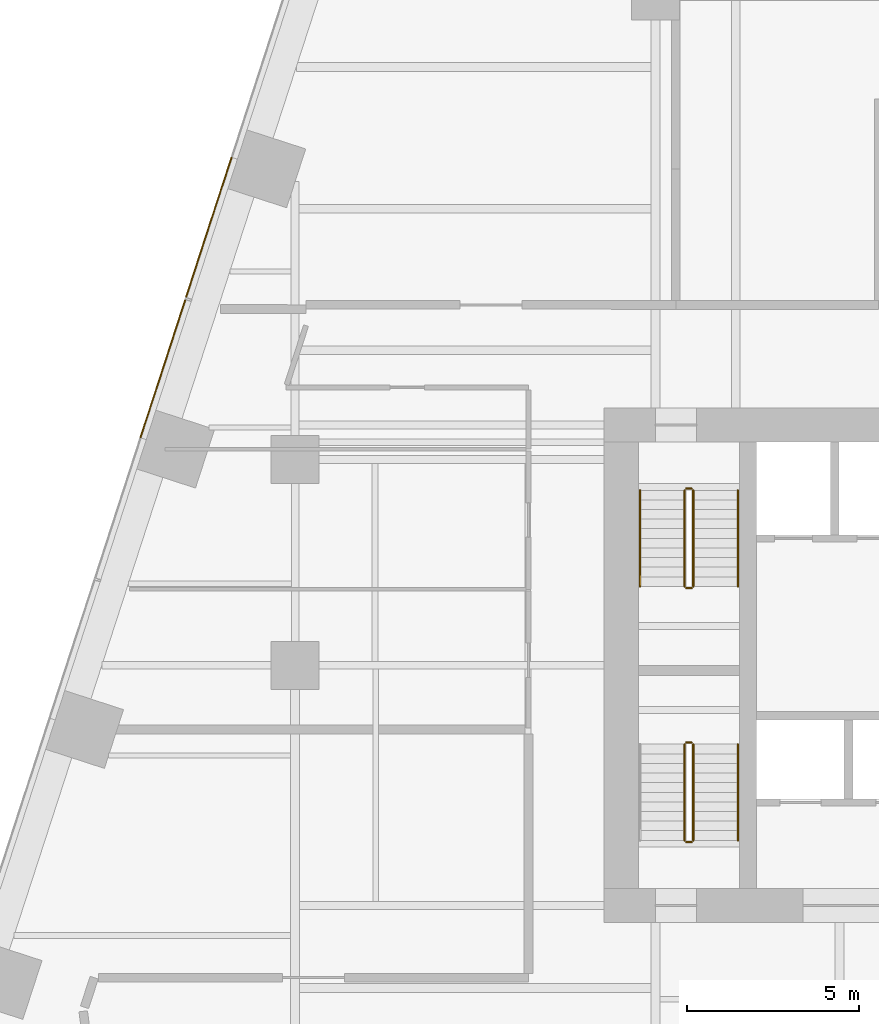
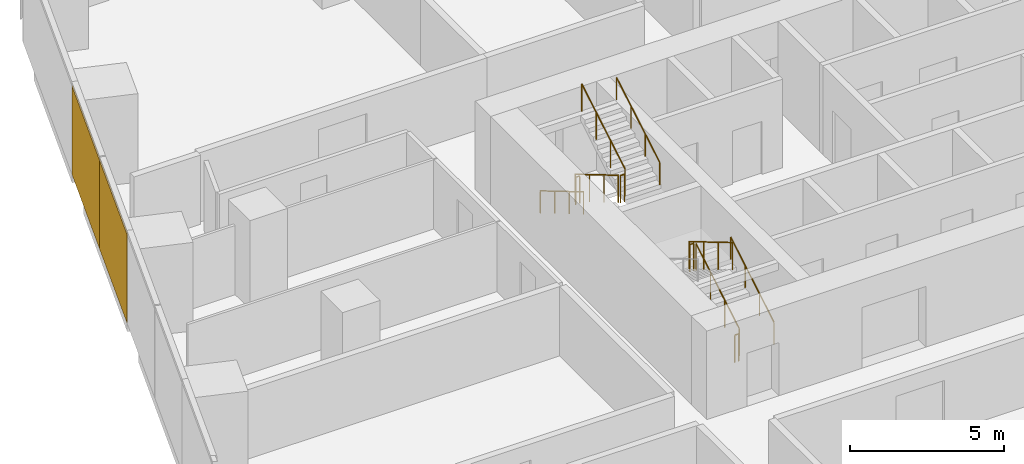
# One storey, part 19 of 20: 11 railings, 2 coverings, 1 element without a shape of its own.
"""IFC4 building model written with IfcOpenShell, lengths in metres."""

from ifc_helpers import new_model, si_unit, direction, frame, origin, origin_2d, place, context, subcontext, project, spatial, rectangle, circle, extrude, material, layer, layer_set, type_object, element, aggregate, save


model = new_model("IFC4")

# Units and contexts
model_context = context("Model", 3, precision=1e-05, world=origin(), true_north=direction((0.0, 1.0)))
body_context = subcontext(model_context, "Body", "Model", "MODEL_VIEW")
ifc_project = project(units=[si_unit("LENGTHUNIT", "METRE"), si_unit("AREAUNIT", "SQUARE_METRE"), si_unit("VOLUMEUNIT", "CUBIC_METRE"), si_unit("PLANEANGLEUNIT", "RADIAN"), si_unit("MASSUNIT", "GRAM", prefix="KILO")], contexts=[model_context])

# Site, building, storey
site_placement = place(None, origin())
site = spatial("IfcSite", under=ifc_project, at=site_placement, CompositionType="ELEMENT")
building_placement = place(site_placement, origin())
building = spatial("IfcBuilding", under=site, at=building_placement, Name="Isthmus Gate Tower", CompositionType="ELEMENT")
storey_placement = place(building_placement, frame((0.0, 0.0, 61.550048828125)))
storey = spatial("IfcBuildingStorey", under=building, at=storey_placement, Name="L13", CompositionType="ELEMENT", Elevation=61.550048828125)

# Curtain wall, coverings
ifc_material_1 = material(Name="Aluminium, pale champagne anodised", Category="aluminium")
ifc_layer_1 = layer(ifc_material_1, 0.199951171875)
ifc_layer_set_1 = layer_set([ifc_layer_1], Name="CW-1 UNITISED CURTAIN WALL 200 DEEP")
curtain_wall_type = type_object("IfcCurtainWallType", Name="CW-1 UNITISED CURTAIN WALL 200 DEEP", PredefinedType="NOTDEFINED", material=ifc_layer_set_1)
curtain_wall_placement = place(storey_placement, origin())
curtain_wall = element("IfcCurtainWall", 1, at=curtain_wall_placement, inside=storey, type_object=curtain_wall_type, Name="CW-1 NW L13", PredefinedType="NOTDEFINED")
ifc_material_2 = material(Name="Aluminium composite panel, pale champagne anodised", Category="aluminium")
ifc_layer_2 = layer(ifc_material_2, 0.0400390625)
ifc_layer_set_2 = layer_set([ifc_layer_2], Name="CW-1 PALE METAL PANEL 40")
covering_type = type_object("IfcCoveringType", Name="CW-1 PALE METAL PANEL 40", PredefinedType="CLADDING", material=ifc_layer_set_2)
covering_1_placement = place(storey_placement, frame((-26.51806640625, 20.25927734375, 0.0), z_axis=(0.0, 0.0, 1.0), x_axis=(-0.309016994375, -0.951056516295, 0.0)))
covering_1 = element("IfcCovering", 2, at=covering_1_placement, type_object=covering_type, Name="CW-1 pale metal panel", PredefinedType="CLADDING", context=body_context, shape_type="SweptSolid", body=[
    extrude(rectangle(XDim=4.294677734375, YDim=0.0400390625, at=origin_2d()), origin(), (0.0, 0.0, 1.0), 3.5),
])
covering_2_placement = place(storey_placement, frame((-27.8544921875, 16.146484375, 0.0), z_axis=(0.0, 0.0, 1.0), x_axis=(-0.309016994375, -0.951056516295, 0.0)))
covering_2 = element("IfcCovering", 3, at=covering_2_placement, type_object=covering_type, Name="CW-1 pale metal panel", PredefinedType="CLADDING", context=body_context, shape_type="SweptSolid", body=[
    extrude(rectangle(XDim=4.234619140625, YDim=0.0400390625, at=origin_2d()), origin(), (0.0, 0.0, 1.0), 3.5),
])
aggregate(curtain_wall, [covering_1, covering_2])

# Railings
ifc_material_3 = material(Name="Stainless steel balustrade", Category="steel")
railing_type_1 = type_object("IfcRailingType", Name="STAIR GUARD 1100", PredefinedType="GUARDRAIL", material=ifc_material_3)
railing_1_placement = place(storey_placement, frame((-12.64990234375, 12.60009765625, 0.165771484375)))
element("IfcRailing", 4, at=railing_1_placement, inside=storey, type_object=railing_type_1, Name="L13 ST1 stair guard 1", PredefinedType="GUARDRAIL", context=body_context, shape_type="SweptSolid", body=[
    extrude(circle(Radius=0.02392578125, at=origin_2d()), frame((0.0, 0.0, 1.076171875), z_axis=(0.0, -0.860306154799, 0.50977771628), x_axis=(1.0, 0.0, 0.0)), (0.0, 0.0, 1.0), 3.254638671875),
    extrude(circle(Radius=0.02099609375, at=origin_2d()), origin(), (0.0, 0.0, 1.0), 1.052001953125),
    extrude(circle(Radius=0.02099609375, at=origin_2d()), frame((0.0, -0.933349609375, 0.552978515625)), (0.0, 0.0, 1.0), 1.052001953125),
    extrude(circle(Radius=0.02099609375, at=origin_2d()), frame((0.0, -1.86669921875, 1.106201171875)), (0.0, 0.0, 1.0), 1.052001953125),
    extrude(circle(Radius=0.02099609375, at=origin_2d()), frame((0.0, -2.800048828125, 1.6591796875)), (0.0, 0.0, 1.0), 1.052001953125),
])
railing_2_placement = place(storey_placement, frame((-12.60009765625, 9.75, 1.824951171875)))
element("IfcRailing", 5, at=railing_2_placement, inside=storey, type_object=railing_type_1, Name="L13 ST1 stair guard 2", PredefinedType="GUARDRAIL", context=body_context, shape_type="SweptSolid", body=[
    extrude(circle(Radius=0.02392578125, at=origin_2d()), frame((0.0, 0.0, 1.076171875), z_axis=(1.0, 0.0, 0.0), x_axis=(0.0, 1.0, 0.0)), (0.0, 0.0, 1.0), 0.150146484375),
    extrude(circle(Radius=0.02099609375, at=origin_2d()), origin(), (0.0, 0.0, 1.0), 1.052001953125),
    extrude(circle(Radius=0.02099609375, at=origin_2d()), frame((0.150146484375, 0.0, 0.0)), (0.0, 0.0, 1.0), 1.052001953125),
])
railing_3_placement = place(storey_placement, frame((-12.39990234375, 9.800048828125, 1.990966796875)))
element("IfcRailing", 6, at=railing_3_placement, inside=storey, type_object=railing_type_1, Name="L13 ST1 stair guard 3", PredefinedType="GUARDRAIL", context=body_context, shape_type="SweptSolid", body=[
    extrude(circle(Radius=0.02392578125, at=origin_2d()), frame((0.0, 0.0, 1.076171875), z_axis=(0.0, 0.860339051648, 0.50972219513), x_axis=(-1.0, 0.0, 0.0)), (0.0, 0.0, 1.0), 3.254638671875),
    extrude(circle(Radius=0.02099609375, at=origin_2d()), origin(), (0.0, 0.0, 1.0), 1.052001953125),
    extrude(circle(Radius=0.02099609375, at=origin_2d()), frame((0.0, 0.933349609375, 0.552978515625)), (0.0, 0.0, 1.0), 1.052001953125),
    extrude(circle(Radius=0.02099609375, at=origin_2d()), frame((0.0, 1.86669921875, 1.10595703125)), (0.0, 0.0, 1.0), 1.052001953125),
    extrude(circle(Radius=0.02099609375, at=origin_2d()), frame((0.0, 2.800048828125, 1.658935546875)), (0.0, 0.0, 1.0), 1.052001953125),
])
railing_4_placement = place(storey_placement, frame((-12.60009765625, 12.64990234375, 0.0)))
element("IfcRailing", 7, at=railing_4_placement, inside=storey, type_object=railing_type_1, Name="L13 ST1 stair guard 4", PredefinedType="GUARDRAIL", context=body_context, shape_type="SweptSolid", body=[
    extrude(circle(Radius=0.02392578125, at=origin_2d()), frame((0.0, 0.0, 1.076171875), z_axis=(1.0, 0.0, 0.0), x_axis=(0.0, 1.0, 0.0)), (0.0, 0.0, 1.0), 0.150146484375),
    extrude(circle(Radius=0.02099609375, at=origin_2d()), origin(), (0.0, 0.0, 1.0), 1.052001953125),
    extrude(circle(Radius=0.02099609375, at=origin_2d()), frame((0.150146484375, 0.0, 0.0)), (0.0, 0.0, 1.0), 1.052001953125),
])
railing_5_placement = place(storey_placement, frame((-12.39990234375, 2.39990234375, 0.165771484375)))
element("IfcRailing", 8, at=railing_5_placement, inside=storey, type_object=railing_type_1, Name="L13 ST7 stair guard 1", PredefinedType="GUARDRAIL", context=body_context, shape_type="SweptSolid", body=[
    extrude(circle(Radius=0.02392578125, at=origin_2d()), frame((0.0, 0.0, 1.076171875), z_axis=(0.0, 0.860306154799, 0.50977771628), x_axis=(-1.0, 0.0, 0.0)), (0.0, 0.0, 1.0), 3.254638671875),
    extrude(circle(Radius=0.02099609375, at=origin_2d()), origin(), (0.0, 0.0, 1.0), 1.052001953125),
    extrude(circle(Radius=0.02099609375, at=origin_2d()), frame((0.0, 0.933349609375, 0.552978515625)), (0.0, 0.0, 1.0), 1.052001953125),
    extrude(circle(Radius=0.02099609375, at=origin_2d()), frame((0.0, 1.86669921875, 1.106201171875)), (0.0, 0.0, 1.0), 1.052001953125),
    extrude(circle(Radius=0.02099609375, at=origin_2d()), frame((0.0, 2.800048828125, 1.6591796875)), (0.0, 0.0, 1.0), 1.052001953125),
])
railing_6_placement = place(storey_placement, frame((-12.449951171875, 5.25, 1.824951171875)))
element("IfcRailing", 9, at=railing_6_placement, inside=storey, type_object=railing_type_1, Name="L13 ST7 stair guard 2", PredefinedType="GUARDRAIL", context=body_context, shape_type="SweptSolid", body=[
    extrude(circle(Radius=0.02392578125, at=origin_2d()), frame((0.0, 0.0, 1.076171875), z_axis=(-1.0, 0.0, 0.0), x_axis=(0.0, -1.0, 0.0)), (0.0, 0.0, 1.0), 0.150146484375),
    extrude(circle(Radius=0.02099609375, at=origin_2d()), origin(), (0.0, 0.0, 1.0), 1.052001953125),
    extrude(circle(Radius=0.02099609375, at=origin_2d()), frame((-0.150146484375, 0.0, 0.0)), (0.0, 0.0, 1.0), 1.052001953125),
])
railing_7_placement = place(storey_placement, frame((-12.64990234375, 5.199951171875, 1.990966796875)))
element("IfcRailing", 10, at=railing_7_placement, inside=storey, type_object=railing_type_1, Name="L13 ST7 stair guard 3", PredefinedType="GUARDRAIL", context=body_context, shape_type="SweptSolid", body=[
    extrude(circle(Radius=0.02392578125, at=origin_2d()), frame((0.0, 0.0, 1.076171875), z_axis=(0.0, -0.860339051648, 0.50972219513), x_axis=(1.0, 0.0, 0.0)), (0.0, 0.0, 1.0), 3.254638671875),
    extrude(circle(Radius=0.02099609375, at=origin_2d()), origin(), (0.0, 0.0, 1.0), 1.052001953125),
    extrude(circle(Radius=0.02099609375, at=origin_2d()), frame((0.0, -0.933349609375, 0.552978515625)), (0.0, 0.0, 1.0), 1.052001953125),
    extrude(circle(Radius=0.02099609375, at=origin_2d()), frame((0.0, -1.86669921875, 1.10595703125)), (0.0, 0.0, 1.0), 1.052001953125),
    extrude(circle(Radius=0.02099609375, at=origin_2d()), frame((0.0, -2.800048828125, 1.658935546875)), (0.0, 0.0, 1.0), 1.052001953125),
])
railing_8_placement = place(storey_placement, frame((-12.449951171875, 2.35009765625, 0.0)))
element("IfcRailing", 11, at=railing_8_placement, inside=storey, type_object=railing_type_1, Name="L13 ST7 stair guard 4", PredefinedType="GUARDRAIL", context=body_context, shape_type="SweptSolid", body=[
    extrude(circle(Radius=0.02392578125, at=origin_2d()), frame((0.0, 0.0, 1.076171875), z_axis=(-1.0, 0.0, 0.0), x_axis=(0.0, -1.0, 0.0)), (0.0, 0.0, 1.0), 0.150146484375),
    extrude(circle(Radius=0.02099609375, at=origin_2d()), origin(), (0.0, 0.0, 1.0), 1.052001953125),
    extrude(circle(Radius=0.02099609375, at=origin_2d()), frame((-0.150146484375, 0.0, 0.0)), (0.0, 0.0, 1.0), 1.052001953125),
])
ifc_material_4 = material(Name="Stainless steel handrail", Category="steel")
railing_type_2 = type_object("IfcRailingType", Name="STAIR HANDRAIL 900", PredefinedType="HANDRAIL", material=ifc_material_4)
railing_9_placement = place(storey_placement, frame((-13.949951171875, 12.60009765625, 0.165771484375)))
element("IfcRailing", 12, at=railing_9_placement, inside=storey, type_object=railing_type_2, Name="L13 ST1 stair handrail 1", PredefinedType="HANDRAIL", context=body_context, shape_type="SweptSolid", body=[
    extrude(circle(Radius=0.02392578125, at=origin_2d()), frame((0.0, 0.0, 0.8759765625), z_axis=(0.0, -0.860306154799, 0.50977771628), x_axis=(1.0, 0.0, 0.0)), (0.0, 0.0, 1.0), 3.254638671875),
    extrude(circle(Radius=0.02099609375, at=origin_2d()), origin(), (0.0, 0.0, 1.0), 0.851806640625),
    extrude(circle(Radius=0.02099609375, at=origin_2d()), frame((0.0, -0.933349609375, 0.552978515625)), (0.0, 0.0, 1.0), 0.851806640625),
    extrude(circle(Radius=0.02099609375, at=origin_2d()), frame((0.0, -1.86669921875, 1.106201171875)), (0.0, 0.0, 1.0), 0.851806640625),
    extrude(circle(Radius=0.02099609375, at=origin_2d()), frame((0.0, -2.800048828125, 1.6591796875)), (0.0, 0.0, 1.0), 0.851806640625),
])
railing_10_placement = place(storey_placement, frame((-11.10009765625, 9.800048828125, 1.990966796875)))
element("IfcRailing", 13, at=railing_10_placement, inside=storey, type_object=railing_type_2, Name="L13 ST1 stair handrail 2", PredefinedType="HANDRAIL", context=body_context, shape_type="SweptSolid", body=[
    extrude(circle(Radius=0.02392578125, at=origin_2d()), frame((0.0, 0.0, 0.8759765625), z_axis=(0.0, 0.860339051648, 0.50972219513), x_axis=(-1.0, 0.0, 0.0)), (0.0, 0.0, 1.0), 3.254638671875),
    extrude(circle(Radius=0.02099609375, at=origin_2d()), origin(), (0.0, 0.0, 1.0), 0.851806640625),
    extrude(circle(Radius=0.02099609375, at=origin_2d()), frame((0.0, 0.933349609375, 0.552978515625)), (0.0, 0.0, 1.0), 0.851806640625),
    extrude(circle(Radius=0.02099609375, at=origin_2d()), frame((0.0, 1.86669921875, 1.10595703125)), (0.0, 0.0, 1.0), 0.851806640625),
    extrude(circle(Radius=0.02099609375, at=origin_2d()), frame((0.0, 2.800048828125, 1.658935546875)), (0.0, 0.0, 1.0), 0.851806640625),
])
railing_11_placement = place(storey_placement, frame((-11.10009765625, 2.39990234375, 0.165771484375)))
element("IfcRailing", 14, at=railing_11_placement, inside=storey, type_object=railing_type_2, Name="L13 ST7 stair handrail 1", PredefinedType="HANDRAIL", context=body_context, shape_type="SweptSolid", body=[
    extrude(circle(Radius=0.02392578125, at=origin_2d()), frame((0.0, 0.0, 0.8759765625), z_axis=(0.0, 0.860306154799, 0.50977771628), x_axis=(-1.0, 0.0, 0.0)), (0.0, 0.0, 1.0), 3.254638671875),
    extrude(circle(Radius=0.02099609375, at=origin_2d()), origin(), (0.0, 0.0, 1.0), 0.851806640625),
    extrude(circle(Radius=0.02099609375, at=origin_2d()), frame((0.0, 0.933349609375, 0.552978515625)), (0.0, 0.0, 1.0), 0.851806640625),
    extrude(circle(Radius=0.02099609375, at=origin_2d()), frame((0.0, 1.86669921875, 1.106201171875)), (0.0, 0.0, 1.0), 0.851806640625),
    extrude(circle(Radius=0.02099609375, at=origin_2d()), frame((0.0, 2.800048828125, 1.6591796875)), (0.0, 0.0, 1.0), 0.851806640625),
])

save(model, "model.ifc")
